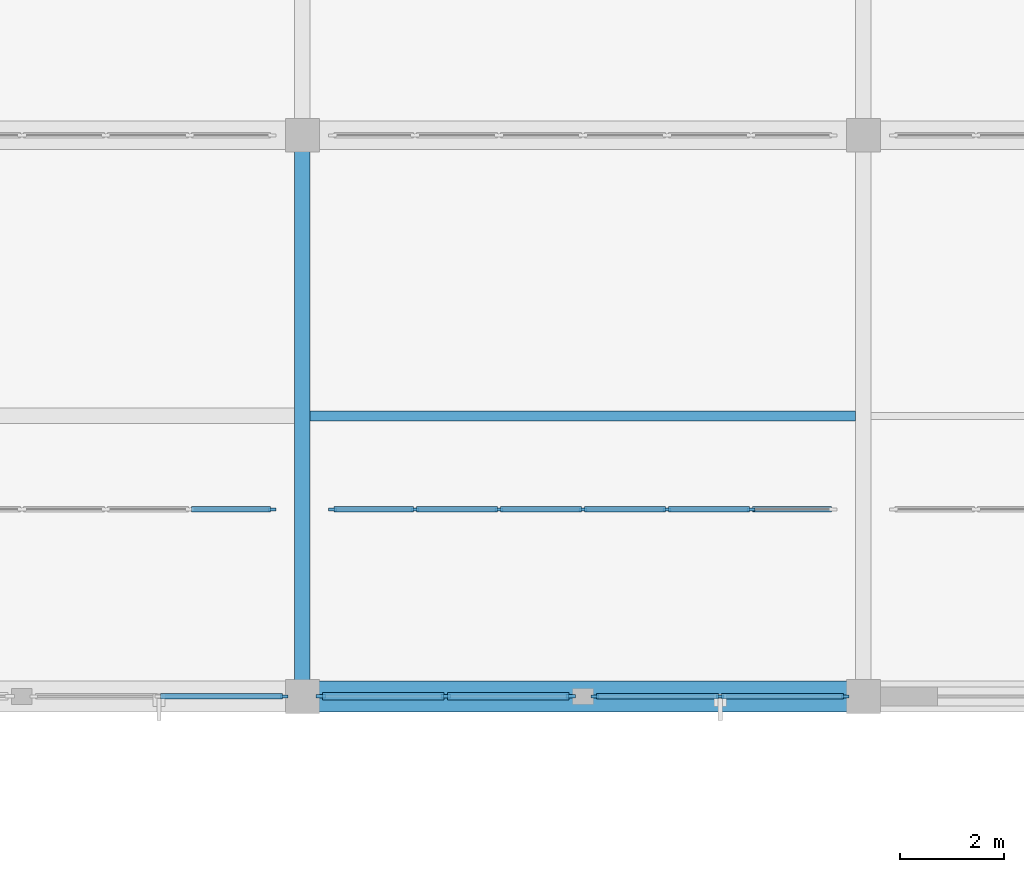
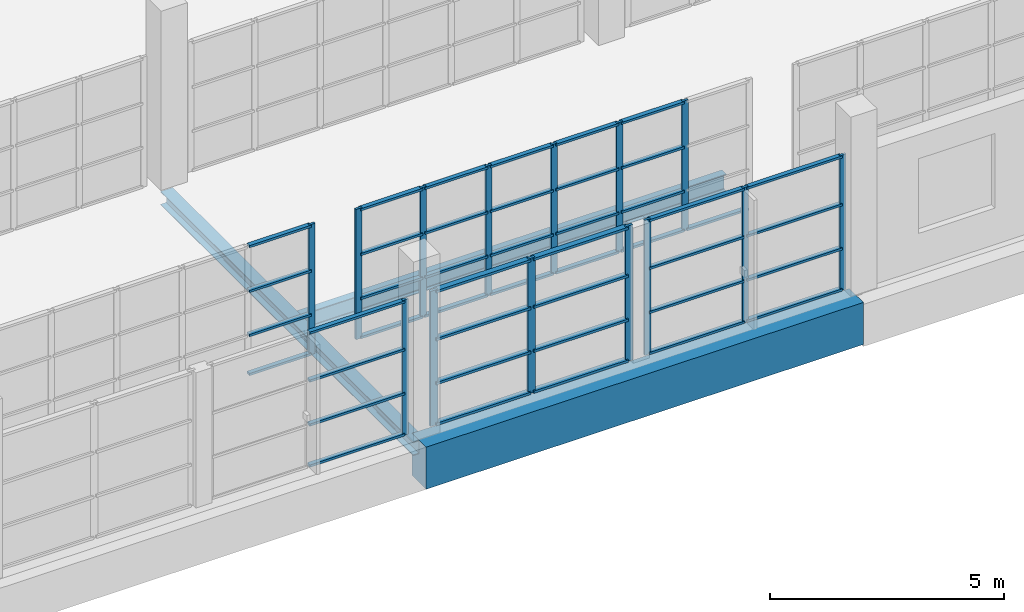
# One storey, part 68 of 142: 59 members, 3 beams, 5 elements without a shape of their own.
"""IFC4 building model written with IfcOpenShell, lengths in metres."""

import ifcopenshell
import ifcopenshell.guid

model = None  # the IFC model being written
_history = None  # IfcOwnerHistory: only IFC2X3 demands one
_inside = {}  # id of a spatial element -> (the spatial element, [elements in it])
_under = {}  # id of a project, library or spatial element -> (it, [spatial elements below it])
_declared = {}  # id of a project -> (the project, [libraries it declares])
_typed = {}  # id of a type object -> (the type object, [elements of that type])
_made_of = {}  # id of a material, layer set ... -> (it, [elements and type objects made of it])


def new_model(schema):
    """Start an empty IFC model of exactly this schema.

    Asked for "IFC4X3", IfcOpenShell would pick the latest addendum, in which some entities
    have other attributes; the version numbers below select the first issue.
    IFC2X3 requires an IfcOwnerHistory on every rooted entity: one is made here for all.
    """
    global model, _history
    if schema == "IFC4X3":
        model = ifcopenshell.file(schema_version=(4, 3, 0, 0))
    else:
        model = ifcopenshell.file(schema=schema)
    _inside.clear()
    _under.clear()
    _declared.clear()
    _typed.clear()
    _made_of.clear()
    _history = None
    if model.schema == "IFC2X3":
        org = make("IfcOrganization", Name="unknown")
        user = make(
            "IfcPersonAndOrganization",
            ThePerson=make("IfcPerson", FamilyName="unknown"),
            TheOrganization=org,
        )
        app = make(
            "IfcApplication",
            ApplicationDeveloper=org,
            Version="unknown",
            ApplicationFullName="unknown",
            ApplicationIdentifier="unknown",
        )
        _history = make(
            "IfcOwnerHistory",
            OwningUser=user,
            OwningApplication=app,
            ChangeAction="ADDED",
            CreationDate=0,
        )
    return model


def make(cls, **values):
    """One entity of the class cls with the attributes given. An attribute that is None is left unset."""
    return model.create_entity(
        cls, **{name: value for name, value in values.items() if value is not None}
    )


def rooted(cls, **values):
    """An entity with a GlobalId (a new one), such as an element, a storey or a relation."""
    return make(cls, GlobalId=ifcopenshell.guid.new(), OwnerHistory=_history, **values)


def si_unit(unit_type, name, prefix=None):
    """IfcSIUnit, for example si_unit("LENGTHUNIT", "METRE", prefix="MILLI")."""
    return make("IfcSIUnit", UnitType=unit_type, Prefix=prefix, Name=name)


def assignment(units):
    """IfcUnitAssignment: the units of a project."""
    return None if units is None else make("IfcUnitAssignment", Units=units)


def point(xyz):
    """IfcCartesianPoint."""
    return None if xyz is None else make("IfcCartesianPoint", Coordinates=xyz)


def direction(xyz):
    """IfcDirection."""
    return None if xyz is None else make("IfcDirection", DirectionRatios=xyz)


def frame(location, z_axis=None, x_axis=None):
    """IfcAxis2Placement3D, a coordinate frame: its origin and axes. An axis left out is left unset."""
    return make(
        "IfcAxis2Placement3D",
        Location=point(location),
        Axis=direction(z_axis),
        RefDirection=direction(x_axis),
    )


def frame_2d(location, x_axis=None):
    """IfcAxis2Placement2D, a coordinate frame in the plane: its origin and x axis."""
    return make(
        "IfcAxis2Placement2D", Location=point(location), RefDirection=direction(x_axis)
    )


def origin():
    """The frame at (0, 0, 0) with its axes left unset."""
    return frame((0.0, 0.0, 0.0))


def origin_2d():
    """The frame at (0, 0) in the plane with its x axis left unset."""
    return frame_2d((0.0, 0.0))


def place(relative_to, where):
    """IfcLocalPlacement: puts the frame where relative to a parent placement (None: the world)."""
    return make(
        "IfcLocalPlacement", PlacementRelTo=relative_to, RelativePlacement=where
    )


def context(
    kind, dimensions, precision=None, world=None, true_north=None, identifier=None
):
    """IfcGeometricRepresentationContext, for example the 3D "Model" context."""
    return make(
        "IfcGeometricRepresentationContext",
        ContextIdentifier=identifier,
        ContextType=kind,
        CoordinateSpaceDimension=dimensions,
        Precision=precision,
        WorldCoordinateSystem=world,
        TrueNorth=true_north,
    )


def subcontext(parent, identifier, kind, view, scale=None):
    """IfcGeometricRepresentationSubContext, for example "Body" below "Model"."""
    return make(
        "IfcGeometricRepresentationSubContext",
        ContextIdentifier=identifier,
        ContextType=kind,
        ParentContext=parent,
        TargetScale=scale,
        TargetView=view,
    )


def project(units=None, contexts=None):
    """IfcProject with its units and contexts."""
    return rooted(
        "IfcProject",
        Name="project",
        RepresentationContexts=contexts,
        UnitsInContext=assignment(units),
    )


def spatial(cls, under=None, at=None, **own):
    """A site, building, storey or space (cls), placed at a placement, below another one or the project."""
    s = rooted(cls, ObjectPlacement=at, **own)
    if under is not None:
        _under.setdefault(under.id(), (under, []))[1].append(s)
    return s


def profile(cls, at=None, kind="AREA", **sizes):
    """A parametric profile (cls). Its sizes go by their IFC names, for example OverallWidth=200.0."""
    return make(cls, ProfileType=kind, Position=at, **sizes)


def rectangle(**sizes):
    """IfcRectangleProfileDef."""
    return profile("IfcRectangleProfileDef", **sizes)


def i_section(**sizes):
    """IfcIShapeProfileDef."""
    return profile("IfcIShapeProfileDef", **sizes)


def extrude(swept, where, along, depth):
    """IfcExtrudedAreaSolid: the profile swept, set in the frame where, extruded along a direction by depth."""
    return make(
        "IfcExtrudedAreaSolid",
        SweptArea=swept,
        Position=where,
        ExtrudedDirection=direction(along),
        Depth=depth,
    )


def shape(context_of_items, identifier, shape_type, items):
    """IfcShapeRepresentation: the items that make up one representation, for example the "Body"."""
    return make(
        "IfcShapeRepresentation",
        ContextOfItems=context_of_items,
        RepresentationIdentifier=identifier,
        RepresentationType=shape_type,
        Items=items,
    )


def material(Name=None, Category=None):
    """IfcMaterial."""
    return make("IfcMaterial", Name=Name, Category=Category)


def material_profile(
    of_material, cross_section, Name=None, Category=None, Priority=None
):
    """IfcMaterialProfile: a cross section and its material."""
    return make(
        "IfcMaterialProfile",
        Name=Name,
        Material=of_material,
        Profile=cross_section,
        Priority=Priority,
        Category=Category,
    )


def profile_set(profiles, Name=None, composite=None):
    """IfcMaterialProfileSet."""
    return make(
        "IfcMaterialProfileSet",
        Name=Name,
        MaterialProfiles=profiles,
        CompositeProfile=composite,
    )


def made_of(thing, what):
    """Note that an element or type object is made of a material, layer set ...; save() writes the relation."""
    if what is not None:
        _made_of.setdefault(what.id(), (what, []))[1].append(thing)
    return thing


def type_object(cls, material=None, **own):
    """A type object (cls), such as IfcWallType, which elements share."""
    return made_of(rooted(cls, **own), material)


def element(
    cls,
    number,
    at=None,
    inside=None,
    cuts=None,
    type_object=None,
    material=None,
    context=None,
    identifier="Body",
    shape_type=None,
    held_by="IfcProductDefinitionShape",
    body=None,
    shapes=None,
    **own,
):
    """One element of the class cls, such as IfcWall. Its Tag is "e" and its number.

    at: its placement. inside: the storey or other place that contains it. cuts: it is an
    opening in that element (IfcRelVoidsElement). A single representation is given by context,
    identifier, shape_type and body (its items); several are given by shapes. held_by: the class
    of the entity that holds the representations. save() writes the other relations.
    """
    e = rooted(cls, Tag="e%d" % number, ObjectPlacement=at, **own)
    if body is not None:
        shapes = [shape(context, identifier, shape_type, body)]
    if shapes is not None:
        e.Representation = make(held_by, Representations=shapes)
    if inside is not None:
        _inside.setdefault(inside.id(), (inside, []))[1].append(e)
    if cuts is not None:
        rooted(
            "IfcRelVoidsElement", RelatingBuildingElement=cuts, RelatedOpeningElement=e
        )
    if type_object is not None:
        _typed.setdefault(type_object.id(), (type_object, []))[1].append(e)
    return made_of(e, material)


def aggregate(whole, parts):
    """IfcRelAggregates: a whole, such as a stair, and the parts it consists of."""
    return rooted("IfcRelAggregates", RelatingObject=whole, RelatedObjects=parts)


def save(model, path):
    """Write the relations noted so far, then the file.

    IfcRelAggregates (storeys below a building ...), IfcRelContainedInSpatialStructure (elements
    in a storey), IfcRelDefinesByType, IfcRelAssociatesMaterial and IfcRelDeclares: one each for
    every whole, place, type object, material and project.
    """
    for whole, parts in _under.values():
        aggregate(whole, parts)
    for where, things in _inside.values():
        rooted(
            "IfcRelContainedInSpatialStructure",
            RelatedElements=things,
            RelatingStructure=where,
        )
    for kind, things in _typed.values():
        rooted("IfcRelDefinesByType", RelatedObjects=things, RelatingType=kind)
    for what, things in _made_of.values():
        rooted("IfcRelAssociatesMaterial", RelatedObjects=things, RelatingMaterial=what)
    for by, libraries in _declared.values():
        rooted("IfcRelDeclares", RelatingContext=by, RelatedDefinitions=libraries)
    model.write(path)


model = new_model("IFC4")

# Units and contexts
model_context = context("Model", 3, precision=1e-05, world=origin(), true_north=direction((0.0, 1.0)))
body_context = subcontext(model_context, "Body", "Model", "MODEL_VIEW")
ifc_project = project(units=[si_unit("LENGTHUNIT", "METRE"), si_unit("AREAUNIT", "SQUARE_METRE"), si_unit("VOLUMEUNIT", "CUBIC_METRE"), si_unit("PLANEANGLEUNIT", "RADIAN"), si_unit("MASSUNIT", "GRAM", prefix="KILO")], contexts=[model_context])

# Site, building, storey
site_placement = place(None, origin())
site = spatial("IfcSite", under=ifc_project, at=site_placement, CompositionType="ELEMENT")
building_placement = place(site_placement, origin())
building = spatial("IfcBuilding", under=site, at=building_placement, Name="Zwinboog Wholesale Market", CompositionType="ELEMENT")
storey_placement = place(building_placement, frame((0.0, 0.0, 5.39990234375)))
storey = spatial("IfcBuildingStorey", under=building, at=storey_placement, Name="L01", CompositionType="ELEMENT", Elevation=5.39990234375)

# Beams
ifc_material_1 = material(Name="Precast concrete C45/55", Category="concrete")
ifc_material_profile_1 = material_profile(ifc_material_1, rectangle(XDim=0.60009765625, YDim=1.10009765625, at=origin_2d()), Name="PC 600x1100")
ifc_profile_set_1 = profile_set([ifc_material_profile_1], Name="Precast concrete C45/55")
beam_type_1 = type_object("IfcBeamType", Name="BT-01", PredefinedType="BEAM", material=ifc_profile_set_1)
beam_1_placement = place(storey_placement, frame((129.60009765625, 86.39990234375, -0.829833984375), z_axis=(1.0, 0.0, 0.0), x_axis=(0.0, 1.0, 0.0)))
element("IfcBeam", 1, at=beam_1_placement, inside=storey, type_object=beam_type_1, Name="BG-01 (BMG-L01-1296-0864-0521)", PredefinedType="BEAM", context=body_context, shape_type="SweptSolid", body=[
    extrude(rectangle(XDim=0.60009765625, YDim=1.10009765625, at=origin_2d()), origin(), (0.0, 0.0, 1.0), 10.7998046875),
])
ifc_material_2 = material(Name="Steel S355", Category="steel")
ifc_material_profile_2 = material_profile(ifc_material_2, i_section(OverallWidth=0.300048828125, OverallDepth=0.35009765625, WebThickness=0.010009765625, FlangeThickness=0.017578125, FilletRadius=0.027099609375, at=origin_2d()), Name="HEA 360")
ifc_profile_set_2 = profile_set([ifc_material_profile_2], Name="Steel S355")
beam_type_2 = type_object("IfcBeamType", Name="BT-17", PredefinedType="BEAM", material=ifc_profile_set_2)
beam_2_placement = place(storey_placement, frame((129.60009765625, 86.39990234375, -0.454833984375), z_axis=(0.0, 1.0, 0.0), x_axis=(-1.0, 0.0, 0.0)))
element("IfcBeam", 2, at=beam_2_placement, inside=storey, type_object=beam_type_2, Name="SB-04 (BMG-L01-1296-0864-0708)", PredefinedType="BEAM", context=body_context, shape_type="SweptSolid", body=[
    extrude(i_section(OverallWidth=0.300048828125, OverallDepth=0.35009765625, WebThickness=0.010009765625, FlangeThickness=0.017578125, FilletRadius=0.027099609375, at=origin_2d()), origin(), (0.0, 0.0, 1.0), 10.800048828125),
])
ifc_material_profile_3 = material_profile(ifc_material_2, i_section(OverallWidth=0.18994140625, OverallDepth=0.449951171875, WebThickness=0.009521484375, FlangeThickness=0.0146484375, FilletRadius=0.02099609375, at=origin_2d()), Name="IPE 450")
ifc_profile_set_3 = profile_set([ifc_material_profile_3], Name="Steel S355")
beam_type_3 = type_object("IfcBeamType", Name="BT-19", PredefinedType="JOIST", material=ifc_profile_set_3)
beam_3_placement = place(storey_placement, frame((129.75, 91.800048828125, -0.5048828125), z_axis=(1.0, 0.0, 0.0), x_axis=(0.0, 1.0, 0.0)))
element("IfcBeam", 3, at=beam_3_placement, inside=storey, type_object=beam_type_3, Name="SJ-02 (BMG-L01-1298-0918-0842)", PredefinedType="JOIST", context=body_context, shape_type="SweptSolid", body=[
    extrude(i_section(OverallWidth=0.18994140625, OverallDepth=0.449951171875, WebThickness=0.009521484375, FlangeThickness=0.0146484375, FilletRadius=0.02099609375, at=origin_2d()), origin(), (0.0, 0.0, 1.0), 10.5),
])

# Curtain wall, members
ifc_material_3 = material(Name="Aluminium thermally broken curtain wall", Category="aluminium")
curtain_wall_type_1 = type_object("IfcCurtainWallType", Name="CWT-CAFE-22", PredefinedType="USERDEFINED", material=ifc_material_3)
curtain_wall_1_placement = place(storey_placement, origin())
curtain_wall_1 = element("IfcCurtainWall", 4, at=curtain_wall_1_placement, inside=storey, type_object=curtain_wall_type_1, Name="CW-05 (CW-L01-119)", ObjectType="STOREFRONT_GLAZING", PredefinedType="USERDEFINED")
ifc_material_4 = material(Name="Aluminium EN AW-6060", Category="aluminium")
ifc_material_profile_4 = material_profile(ifc_material_4, rectangle(XDim=0.06494140625, YDim=0.179931640625, at=origin_2d()), Name="AL 65x180")
ifc_profile_set_4 = profile_set([ifc_material_profile_4], Name="Aluminium EN AW-6060")
member_type_1 = type_object("IfcMemberType", Name="CWM-65x180", PredefinedType="MULLION", material=ifc_profile_set_4)
member_1_placement = place(storey_placement, frame((129.952392578125, 86.39990234375, 0.0), z_axis=(0.0, 0.0, 1.0), x_axis=(0.0, 1.0, 0.0)))
member_1 = element("IfcMember", 5, at=member_1_placement, type_object=member_type_1, Name="CW-05 mullion 1", PredefinedType="MULLION", context=body_context, shape_type="SweptSolid", body=[
    extrude(rectangle(XDim=0.06494140625, YDim=0.179931640625, at=origin_2d()), origin(), (0.0, 0.0, 1.0), 3.530029296875),
])
member_2_placement = place(storey_placement, frame((132.360107421875, 86.39990234375, 0.0), z_axis=(0.0, 0.0, 1.0), x_axis=(0.0, 1.0, 0.0)))
member_2 = element("IfcMember", 6, at=member_2_placement, type_object=member_type_1, Name="CW-05 mullion 2", PredefinedType="MULLION", context=body_context, shape_type="SweptSolid", body=[
    extrude(rectangle(XDim=0.06494140625, YDim=0.179931640625, at=origin_2d()), origin(), (0.0, 0.0, 1.0), 3.530029296875),
])
member_3_placement = place(storey_placement, frame((134.767578125, 86.39990234375, 0.0), z_axis=(0.0, 0.0, 1.0), x_axis=(0.0, 1.0, 0.0)))
member_3 = element("IfcMember", 7, at=member_3_placement, type_object=member_type_1, Name="CW-05 mullion 3", PredefinedType="MULLION", context=body_context, shape_type="SweptSolid", body=[
    extrude(rectangle(XDim=0.06494140625, YDim=0.179931640625, at=origin_2d()), origin(), (0.0, 0.0, 1.0), 3.530029296875),
])

# Curtain wall, member
curtain_wall_type_2 = type_object("IfcCurtainWallType", Name="CWT-OFF-15", PredefinedType="USERDEFINED", material=ifc_material_3)
curtain_wall_2_placement = place(storey_placement, origin())
curtain_wall_2 = element("IfcCurtainWall", 8, at=curtain_wall_2_placement, inside=storey, type_object=curtain_wall_type_2, Name="CW-06 (CW-L01-114)", ObjectType="UNITIZED_CURTAIN_WALL", PredefinedType="USERDEFINED")
ifc_material_profile_5 = material_profile(ifc_material_4, rectangle(XDim=0.06005859375, YDim=0.14990234375, at=origin_2d()), Name="AL 60x150")
ifc_profile_set_5 = profile_set([ifc_material_profile_5], Name="Aluminium EN AW-6060")
member_type_2 = type_object("IfcMemberType", Name="CWM-60x150", PredefinedType="MULLION", material=ifc_profile_set_5)
member_4_placement = place(storey_placement, frame((129.25, 86.39990234375, 0.0), z_axis=(0.0, 0.0, 1.0), x_axis=(0.0, 1.0, 0.0)))
member_4 = element("IfcMember", 9, at=member_4_placement, type_object=member_type_2, Name="CW-06 mullion 3", PredefinedType="MULLION", context=body_context, shape_type="SweptSolid", body=[
    extrude(rectangle(XDim=0.06005859375, YDim=0.14990234375, at=origin_2d()), origin(), (0.0, 0.0, 1.0), 3.530029296875),
])

# Curtain wall, members
curtain_wall_3_placement = place(storey_placement, origin())
curtain_wall_3 = element("IfcCurtainWall", 10, at=curtain_wall_3_placement, inside=storey, type_object=curtain_wall_type_2, Name="CW-06 (CW-L01-120)", ObjectType="UNITIZED_CURTAIN_WALL", PredefinedType="USERDEFINED")
member_5_placement = place(storey_placement, frame((135.22998046875, 86.39990234375, 0.0), z_axis=(0.0, 0.0, 1.0), x_axis=(0.0, 1.0, 0.0)))
member_5 = element("IfcMember", 11, at=member_5_placement, type_object=member_type_2, Name="CW-06 mullion 1", PredefinedType="MULLION", context=body_context, shape_type="SweptSolid", body=[
    extrude(rectangle(XDim=0.06005859375, YDim=0.14990234375, at=origin_2d()), origin(), (0.0, 0.0, 1.0), 3.530029296875),
])
member_6_placement = place(storey_placement, frame((137.639892578125, 86.39990234375, 0.0), z_axis=(0.0, 0.0, 1.0), x_axis=(0.0, 1.0, 0.0)))
member_6 = element("IfcMember", 12, at=member_6_placement, type_object=member_type_2, Name="CW-06 mullion 2", PredefinedType="MULLION", context=body_context, shape_type="SweptSolid", body=[
    extrude(rectangle(XDim=0.06005859375, YDim=0.14990234375, at=origin_2d()), origin(), (0.0, 0.0, 1.0), 3.530029296875),
])
member_7_placement = place(storey_placement, frame((140.050048828125, 86.39990234375, 0.0), z_axis=(0.0, 0.0, 1.0), x_axis=(0.0, 1.0, 0.0)))
member_7 = element("IfcMember", 13, at=member_7_placement, type_object=member_type_2, Name="CW-06 mullion 3", PredefinedType="MULLION", context=body_context, shape_type="SweptSolid", body=[
    extrude(rectangle(XDim=0.06005859375, YDim=0.14990234375, at=origin_2d()), origin(), (0.0, 0.0, 1.0), 3.530029296875),
])

# Member
ifc_material_profile_6 = material_profile(ifc_material_4, rectangle(XDim=0.139892578125, YDim=0.06494140625, at=origin_2d()), Name="AL 65x140")
ifc_profile_set_6 = profile_set([ifc_material_profile_6], Name="Aluminium EN AW-6060")
member_type_3 = type_object("IfcMemberType", Name="CWT-65x140", PredefinedType="USERDEFINED", material=ifc_profile_set_6)
member_8_placement = place(storey_placement, frame((129.985107421875, 86.39990234375, 0.03271484375), z_axis=(1.0, 0.0, 0.0), x_axis=(0.0, 1.0, 0.0)))
member_8 = element("IfcMember", 14, at=member_8_placement, type_object=member_type_3, Name="CW-05 transom 1.1", ObjectType="TRANSOM", PredefinedType="USERDEFINED", context=body_context, shape_type="SweptSolid", body=[
    extrude(rectangle(XDim=0.139892578125, YDim=0.06494140625, at=origin_2d()), origin(), (0.0, 0.0, 1.0), 2.34228515625),
])

member_9_placement = place(storey_placement, frame((129.985107421875, 86.39990234375, 1.10009765625), z_axis=(1.0, 0.0, 0.0), x_axis=(0.0, 1.0, 0.0)))
member_9 = element("IfcMember", 15, at=member_9_placement, type_object=member_type_3, Name="CW-05 transom 1.2", ObjectType="TRANSOM", PredefinedType="USERDEFINED", context=body_context, shape_type="SweptSolid", body=[
    extrude(rectangle(XDim=0.139892578125, YDim=0.06494140625, at=origin_2d()), origin(), (0.0, 0.0, 1.0), 2.34228515625),
])

member_10_placement = place(storey_placement, frame((129.985107421875, 86.39990234375, 2.25), z_axis=(1.0, 0.0, 0.0), x_axis=(0.0, 1.0, 0.0)))
member_10 = element("IfcMember", 16, at=member_10_placement, type_object=member_type_3, Name="CW-05 transom 1.3", ObjectType="TRANSOM", PredefinedType="USERDEFINED", context=body_context, shape_type="SweptSolid", body=[
    extrude(rectangle(XDim=0.139892578125, YDim=0.06494140625, at=origin_2d()), origin(), (0.0, 0.0, 1.0), 2.34228515625),
])

member_11_placement = place(storey_placement, frame((129.985107421875, 86.39990234375, 3.49755859375), z_axis=(1.0, 0.0, 0.0), x_axis=(0.0, 1.0, 0.0)))
member_11 = element("IfcMember", 17, at=member_11_placement, type_object=member_type_3, Name="CW-05 transom 1.4", ObjectType="TRANSOM", PredefinedType="USERDEFINED", context=body_context, shape_type="SweptSolid", body=[
    extrude(rectangle(XDim=0.139892578125, YDim=0.06494140625, at=origin_2d()), origin(), (0.0, 0.0, 1.0), 2.34228515625),
])

member_12_placement = place(storey_placement, frame((132.392578125, 86.39990234375, 0.03271484375), z_axis=(1.0, 0.0, 0.0), x_axis=(0.0, 1.0, 0.0)))
member_12 = element("IfcMember", 18, at=member_12_placement, type_object=member_type_3, Name="CW-05 transom 2.1", ObjectType="TRANSOM", PredefinedType="USERDEFINED", context=body_context, shape_type="SweptSolid", body=[
    extrude(rectangle(XDim=0.139892578125, YDim=0.06494140625, at=origin_2d()), origin(), (0.0, 0.0, 1.0), 2.342529296875),
])

member_13_placement = place(storey_placement, frame((132.392578125, 86.39990234375, 1.10009765625), z_axis=(1.0, 0.0, 0.0), x_axis=(0.0, 1.0, 0.0)))
member_13 = element("IfcMember", 19, at=member_13_placement, type_object=member_type_3, Name="CW-05 transom 2.2", ObjectType="TRANSOM", PredefinedType="USERDEFINED", context=body_context, shape_type="SweptSolid", body=[
    extrude(rectangle(XDim=0.139892578125, YDim=0.06494140625, at=origin_2d()), origin(), (0.0, 0.0, 1.0), 2.342529296875),
])

member_14_placement = place(storey_placement, frame((132.392578125, 86.39990234375, 2.25), z_axis=(1.0, 0.0, 0.0), x_axis=(0.0, 1.0, 0.0)))
member_14 = element("IfcMember", 20, at=member_14_placement, type_object=member_type_3, Name="CW-05 transom 2.3", ObjectType="TRANSOM", PredefinedType="USERDEFINED", context=body_context, shape_type="SweptSolid", body=[
    extrude(rectangle(XDim=0.139892578125, YDim=0.06494140625, at=origin_2d()), origin(), (0.0, 0.0, 1.0), 2.342529296875),
])

member_15_placement = place(storey_placement, frame((132.392578125, 86.39990234375, 3.49755859375), z_axis=(1.0, 0.0, 0.0), x_axis=(0.0, 1.0, 0.0)))
member_15 = element("IfcMember", 21, at=member_15_placement, type_object=member_type_3, Name="CW-05 transom 2.4", ObjectType="TRANSOM", PredefinedType="USERDEFINED", context=body_context, shape_type="SweptSolid", body=[
    extrude(rectangle(XDim=0.139892578125, YDim=0.06494140625, at=origin_2d()), origin(), (0.0, 0.0, 1.0), 2.342529296875),
])

aggregate(curtain_wall_1, [member_1, member_2, member_3, member_8, member_9, member_10, member_11, member_12, member_13, member_14, member_15])

ifc_material_profile_7 = material_profile(ifc_material_4, rectangle(XDim=0.110107421875, YDim=0.06005859375, at=origin_2d()), Name="AL 60x110")
ifc_profile_set_7 = profile_set([ifc_material_profile_7], Name="Aluminium EN AW-6060")
member_type_4 = type_object("IfcMemberType", Name="CWT-60x110", PredefinedType="USERDEFINED", material=ifc_profile_set_7)
member_16_placement = place(storey_placement, frame((126.8701171875, 86.39990234375, 0.030029296875), z_axis=(1.0, 0.0, 0.0), x_axis=(0.0, 1.0, 0.0)))
member_16 = element("IfcMember", 22, at=member_16_placement, type_object=member_type_4, Name="CW-06 transom 2.1", ObjectType="TRANSOM", PredefinedType="USERDEFINED", context=body_context, shape_type="SweptSolid", body=[
    extrude(rectangle(XDim=0.110107421875, YDim=0.06005859375, at=origin_2d()), origin(), (0.0, 0.0, 1.0), 2.349853515625),
])

member_17_placement = place(storey_placement, frame((126.8701171875, 86.39990234375, 1.10009765625), z_axis=(1.0, 0.0, 0.0), x_axis=(0.0, 1.0, 0.0)))
member_17 = element("IfcMember", 23, at=member_17_placement, type_object=member_type_4, Name="CW-06 transom 2.2", ObjectType="TRANSOM", PredefinedType="USERDEFINED", context=body_context, shape_type="SweptSolid", body=[
    extrude(rectangle(XDim=0.110107421875, YDim=0.06005859375, at=origin_2d()), origin(), (0.0, 0.0, 1.0), 2.349853515625),
])

member_18_placement = place(storey_placement, frame((126.8701171875, 86.39990234375, 2.25), z_axis=(1.0, 0.0, 0.0), x_axis=(0.0, 1.0, 0.0)))
member_18 = element("IfcMember", 24, at=member_18_placement, type_object=member_type_4, Name="CW-06 transom 2.3", ObjectType="TRANSOM", PredefinedType="USERDEFINED", context=body_context, shape_type="SweptSolid", body=[
    extrude(rectangle(XDim=0.110107421875, YDim=0.06005859375, at=origin_2d()), origin(), (0.0, 0.0, 1.0), 2.349853515625),
])

member_19_placement = place(storey_placement, frame((126.8701171875, 86.39990234375, 3.5), z_axis=(1.0, 0.0, 0.0), x_axis=(0.0, 1.0, 0.0)))
member_19 = element("IfcMember", 25, at=member_19_placement, type_object=member_type_4, Name="CW-06 transom 2.4", ObjectType="TRANSOM", PredefinedType="USERDEFINED", context=body_context, shape_type="SweptSolid", body=[
    extrude(rectangle(XDim=0.110107421875, YDim=0.06005859375, at=origin_2d()), origin(), (0.0, 0.0, 1.0), 2.349853515625),
])

aggregate(curtain_wall_2, [member_4, member_16, member_17, member_18, member_19])

member_20_placement = place(storey_placement, frame((135.260009765625, 86.39990234375, 0.030029296875), z_axis=(1.0, 0.0, 0.0), x_axis=(0.0, 1.0, 0.0)))
member_20 = element("IfcMember", 26, at=member_20_placement, type_object=member_type_4, Name="CW-06 transom 1.1", ObjectType="TRANSOM", PredefinedType="USERDEFINED", context=body_context, shape_type="SweptSolid", body=[
    extrude(rectangle(XDim=0.110107421875, YDim=0.06005859375, at=origin_2d()), origin(), (0.0, 0.0, 1.0), 2.35009765625),
])

member_21_placement = place(storey_placement, frame((135.260009765625, 86.39990234375, 1.10009765625), z_axis=(1.0, 0.0, 0.0), x_axis=(0.0, 1.0, 0.0)))
member_21 = element("IfcMember", 27, at=member_21_placement, type_object=member_type_4, Name="CW-06 transom 1.2", ObjectType="TRANSOM", PredefinedType="USERDEFINED", context=body_context, shape_type="SweptSolid", body=[
    extrude(rectangle(XDim=0.110107421875, YDim=0.06005859375, at=origin_2d()), origin(), (0.0, 0.0, 1.0), 2.35009765625),
])

member_22_placement = place(storey_placement, frame((135.260009765625, 86.39990234375, 2.25), z_axis=(1.0, 0.0, 0.0), x_axis=(0.0, 1.0, 0.0)))
member_22 = element("IfcMember", 28, at=member_22_placement, type_object=member_type_4, Name="CW-06 transom 1.3", ObjectType="TRANSOM", PredefinedType="USERDEFINED", context=body_context, shape_type="SweptSolid", body=[
    extrude(rectangle(XDim=0.110107421875, YDim=0.06005859375, at=origin_2d()), origin(), (0.0, 0.0, 1.0), 2.35009765625),
])

member_23_placement = place(storey_placement, frame((135.260009765625, 86.39990234375, 3.5), z_axis=(1.0, 0.0, 0.0), x_axis=(0.0, 1.0, 0.0)))
member_23 = element("IfcMember", 29, at=member_23_placement, type_object=member_type_4, Name="CW-06 transom 1.4", ObjectType="TRANSOM", PredefinedType="USERDEFINED", context=body_context, shape_type="SweptSolid", body=[
    extrude(rectangle(XDim=0.110107421875, YDim=0.06005859375, at=origin_2d()), origin(), (0.0, 0.0, 1.0), 2.35009765625),
])

member_24_placement = place(storey_placement, frame((137.669921875, 86.39990234375, 0.030029296875), z_axis=(1.0, 0.0, 0.0), x_axis=(0.0, 1.0, 0.0)))
member_24 = element("IfcMember", 30, at=member_24_placement, type_object=member_type_4, Name="CW-06 transom 2.1", ObjectType="TRANSOM", PredefinedType="USERDEFINED", context=body_context, shape_type="SweptSolid", body=[
    extrude(rectangle(XDim=0.110107421875, YDim=0.06005859375, at=origin_2d()), origin(), (0.0, 0.0, 1.0), 2.35009765625),
])

member_25_placement = place(storey_placement, frame((137.669921875, 86.39990234375, 1.10009765625), z_axis=(1.0, 0.0, 0.0), x_axis=(0.0, 1.0, 0.0)))
member_25 = element("IfcMember", 31, at=member_25_placement, type_object=member_type_4, Name="CW-06 transom 2.2", ObjectType="TRANSOM", PredefinedType="USERDEFINED", context=body_context, shape_type="SweptSolid", body=[
    extrude(rectangle(XDim=0.110107421875, YDim=0.06005859375, at=origin_2d()), origin(), (0.0, 0.0, 1.0), 2.35009765625),
])

member_26_placement = place(storey_placement, frame((137.669921875, 86.39990234375, 2.25), z_axis=(1.0, 0.0, 0.0), x_axis=(0.0, 1.0, 0.0)))
member_26 = element("IfcMember", 32, at=member_26_placement, type_object=member_type_4, Name="CW-06 transom 2.3", ObjectType="TRANSOM", PredefinedType="USERDEFINED", context=body_context, shape_type="SweptSolid", body=[
    extrude(rectangle(XDim=0.110107421875, YDim=0.06005859375, at=origin_2d()), origin(), (0.0, 0.0, 1.0), 2.35009765625),
])

member_27_placement = place(storey_placement, frame((137.669921875, 86.39990234375, 3.5), z_axis=(1.0, 0.0, 0.0), x_axis=(0.0, 1.0, 0.0)))
member_27 = element("IfcMember", 33, at=member_27_placement, type_object=member_type_4, Name="CW-06 transom 2.4", ObjectType="TRANSOM", PredefinedType="USERDEFINED", context=body_context, shape_type="SweptSolid", body=[
    extrude(rectangle(XDim=0.110107421875, YDim=0.06005859375, at=origin_2d()), origin(), (0.0, 0.0, 1.0), 2.35009765625),
])

aggregate(curtain_wall_3, [member_5, member_6, member_7, member_20, member_21, member_22, member_23, member_24, member_25, member_26, member_27])

# Curtain wall, member
curtain_wall_type_3 = type_object("IfcCurtainWallType", Name="CWT-INT-STALL", PredefinedType="USERDEFINED", material=ifc_material_3)
curtain_wall_4_placement = place(storey_placement, origin())
curtain_wall_4 = element("IfcCurtainWall", 34, at=curtain_wall_4_placement, inside=storey, type_object=curtain_wall_type_3, Name="CW-07 (CW-STL-240)", ObjectType="STOREFRONT_GLAZING", PredefinedType="USERDEFINED")
ifc_material_profile_8 = material_profile(ifc_material_4, rectangle(XDim=0.06005859375, YDim=0.14990234375, at=origin_2d()), Name="AL 60x150")
ifc_profile_set_8 = profile_set([ifc_material_profile_8], Name="Aluminium EN AW-6060")
member_type_5 = type_object("IfcMemberType", Name="CWM-INT-60x120", PredefinedType="MULLION", material=ifc_profile_set_8)
member_28_placement = place(storey_placement, frame((129.02001953125, 90.0, 0.0), z_axis=(0.0, 0.0, 1.0), x_axis=(0.0, 1.0, 0.0)))
member_28 = element("IfcMember", 35, at=member_28_placement, type_object=member_type_5, Name="CW-07 mullion 7", PredefinedType="MULLION", context=body_context, shape_type="SweptSolid", body=[
    extrude(rectangle(XDim=0.06005859375, YDim=0.14990234375, at=origin_2d()), origin(), (0.0, 0.0, 1.0), 3.400146484375),
])

# Curtain wall, members
curtain_wall_5_placement = place(storey_placement, origin())
curtain_wall_5 = element("IfcCurtainWall", 36, at=curtain_wall_5_placement, inside=storey, type_object=curtain_wall_type_3, Name="CW-07 (CW-STL-241)", ObjectType="STOREFRONT_GLAZING", PredefinedType="USERDEFINED")
member_29_placement = place(storey_placement, frame((130.179931640625, 90.0, 0.0), z_axis=(0.0, 0.0, 1.0), x_axis=(0.0, 1.0, 0.0)))
member_29 = element("IfcMember", 37, at=member_29_placement, type_object=member_type_5, Name="CW-07 mullion 1", PredefinedType="MULLION", context=body_context, shape_type="SweptSolid", body=[
    extrude(rectangle(XDim=0.06005859375, YDim=0.14990234375, at=origin_2d()), origin(), (0.0, 0.0, 1.0), 3.400146484375),
])
member_30_placement = place(storey_placement, frame((131.7666015625, 90.0, 0.0), z_axis=(0.0, 0.0, 1.0), x_axis=(0.0, 1.0, 0.0)))
member_30 = element("IfcMember", 38, at=member_30_placement, type_object=member_type_5, Name="CW-07 mullion 2", PredefinedType="MULLION", context=body_context, shape_type="SweptSolid", body=[
    extrude(rectangle(XDim=0.06005859375, YDim=0.14990234375, at=origin_2d()), origin(), (0.0, 0.0, 1.0), 3.400146484375),
])
member_31_placement = place(storey_placement, frame((133.38330078125, 90.0, 0.0), z_axis=(0.0, 0.0, 1.0), x_axis=(0.0, 1.0, 0.0)))
member_31 = element("IfcMember", 39, at=member_31_placement, type_object=member_type_5, Name="CW-07 mullion 3", PredefinedType="MULLION", context=body_context, shape_type="SweptSolid", body=[
    extrude(rectangle(XDim=0.06005859375, YDim=0.14990234375, at=origin_2d()), origin(), (0.0, 0.0, 1.0), 3.400146484375),
])
member_32_placement = place(storey_placement, frame((135.0, 90.0, 0.0), z_axis=(0.0, 0.0, 1.0), x_axis=(0.0, 1.0, 0.0)))
member_32 = element("IfcMember", 40, at=member_32_placement, type_object=member_type_5, Name="CW-07 mullion 4", PredefinedType="MULLION", context=body_context, shape_type="SweptSolid", body=[
    extrude(rectangle(XDim=0.06005859375, YDim=0.14990234375, at=origin_2d()), origin(), (0.0, 0.0, 1.0), 3.400146484375),
])
member_33_placement = place(storey_placement, frame((136.61669921875, 90.0, 0.0), z_axis=(0.0, 0.0, 1.0), x_axis=(0.0, 1.0, 0.0)))
member_33 = element("IfcMember", 41, at=member_33_placement, type_object=member_type_5, Name="CW-07 mullion 5", PredefinedType="MULLION", context=body_context, shape_type="SweptSolid", body=[
    extrude(rectangle(XDim=0.06005859375, YDim=0.14990234375, at=origin_2d()), origin(), (0.0, 0.0, 1.0), 3.400146484375),
])
member_34_placement = place(storey_placement, frame((138.2333984375, 90.0, 0.0), z_axis=(0.0, 0.0, 1.0), x_axis=(0.0, 1.0, 0.0)))
member_34 = element("IfcMember", 42, at=member_34_placement, type_object=member_type_5, Name="CW-07 mullion 6", PredefinedType="MULLION", context=body_context, shape_type="SweptSolid", body=[
    extrude(rectangle(XDim=0.06005859375, YDim=0.14990234375, at=origin_2d()), origin(), (0.0, 0.0, 1.0), 3.400146484375),
])

# Member
ifc_material_profile_9 = material_profile(ifc_material_4, rectangle(XDim=0.110107421875, YDim=0.06005859375, at=origin_2d()), Name="AL 60x110")
ifc_profile_set_9 = profile_set([ifc_material_profile_9], Name="Aluminium EN AW-6060")
member_type_6 = type_object("IfcMemberType", Name="CWT-INT-60x100", PredefinedType="USERDEFINED", material=ifc_profile_set_9)
member_35_placement = place(storey_placement, frame((127.46337890625, 90.0, 0.030029296875), z_axis=(1.0, 0.0, 0.0), x_axis=(0.0, 1.0, 0.0)))
member_35 = element("IfcMember", 43, at=member_35_placement, type_object=member_type_6, Name="CW-07 transom 6.1", ObjectType="TRANSOM", PredefinedType="USERDEFINED", context=body_context, shape_type="SweptSolid", body=[
    extrude(rectangle(XDim=0.110107421875, YDim=0.06005859375, at=origin_2d()), origin(), (0.0, 0.0, 1.0), 1.526611328125),
])

member_36_placement = place(storey_placement, frame((127.46337890625, 90.0, 1.050048828125), z_axis=(1.0, 0.0, 0.0), x_axis=(0.0, 1.0, 0.0)))
member_36 = element("IfcMember", 44, at=member_36_placement, type_object=member_type_6, Name="CW-07 transom 6.2", ObjectType="TRANSOM", PredefinedType="USERDEFINED", context=body_context, shape_type="SweptSolid", body=[
    extrude(rectangle(XDim=0.110107421875, YDim=0.06005859375, at=origin_2d()), origin(), (0.0, 0.0, 1.0), 1.526611328125),
])

member_37_placement = place(storey_placement, frame((127.46337890625, 90.0, 2.2001953125), z_axis=(1.0, 0.0, 0.0), x_axis=(0.0, 1.0, 0.0)))
member_37 = element("IfcMember", 45, at=member_37_placement, type_object=member_type_6, Name="CW-07 transom 6.3", ObjectType="TRANSOM", PredefinedType="USERDEFINED", context=body_context, shape_type="SweptSolid", body=[
    extrude(rectangle(XDim=0.110107421875, YDim=0.06005859375, at=origin_2d()), origin(), (0.0, 0.0, 1.0), 1.526611328125),
])

member_38_placement = place(storey_placement, frame((127.46337890625, 90.0, 3.3701171875), z_axis=(1.0, 0.0, 0.0), x_axis=(0.0, 1.0, 0.0)))
member_38 = element("IfcMember", 46, at=member_38_placement, type_object=member_type_6, Name="CW-07 transom 6.4", ObjectType="TRANSOM", PredefinedType="USERDEFINED", context=body_context, shape_type="SweptSolid", body=[
    extrude(rectangle(XDim=0.110107421875, YDim=0.06005859375, at=origin_2d()), origin(), (0.0, 0.0, 1.0), 1.526611328125),
])

aggregate(curtain_wall_4, [member_28, member_35, member_36, member_37, member_38])

member_39_placement = place(storey_placement, frame((130.2099609375, 90.0, 0.030029296875), z_axis=(1.0, 0.0, 0.0), x_axis=(0.0, 1.0, 0.0)))
member_39 = element("IfcMember", 47, at=member_39_placement, type_object=member_type_6, Name="CW-07 transom 1.1", ObjectType="TRANSOM", PredefinedType="USERDEFINED", context=body_context, shape_type="SweptSolid", body=[
    extrude(rectangle(XDim=0.110107421875, YDim=0.06005859375, at=origin_2d()), origin(), (0.0, 0.0, 1.0), 1.526611328125),
])

member_40_placement = place(storey_placement, frame((130.2099609375, 90.0, 1.050048828125), z_axis=(1.0, 0.0, 0.0), x_axis=(0.0, 1.0, 0.0)))
member_40 = element("IfcMember", 48, at=member_40_placement, type_object=member_type_6, Name="CW-07 transom 1.2", ObjectType="TRANSOM", PredefinedType="USERDEFINED", context=body_context, shape_type="SweptSolid", body=[
    extrude(rectangle(XDim=0.110107421875, YDim=0.06005859375, at=origin_2d()), origin(), (0.0, 0.0, 1.0), 1.526611328125),
])

member_41_placement = place(storey_placement, frame((130.2099609375, 90.0, 2.2001953125), z_axis=(1.0, 0.0, 0.0), x_axis=(0.0, 1.0, 0.0)))
member_41 = element("IfcMember", 49, at=member_41_placement, type_object=member_type_6, Name="CW-07 transom 1.3", ObjectType="TRANSOM", PredefinedType="USERDEFINED", context=body_context, shape_type="SweptSolid", body=[
    extrude(rectangle(XDim=0.110107421875, YDim=0.06005859375, at=origin_2d()), origin(), (0.0, 0.0, 1.0), 1.526611328125),
])

member_42_placement = place(storey_placement, frame((130.2099609375, 90.0, 3.3701171875), z_axis=(1.0, 0.0, 0.0), x_axis=(0.0, 1.0, 0.0)))
member_42 = element("IfcMember", 50, at=member_42_placement, type_object=member_type_6, Name="CW-07 transom 1.4", ObjectType="TRANSOM", PredefinedType="USERDEFINED", context=body_context, shape_type="SweptSolid", body=[
    extrude(rectangle(XDim=0.110107421875, YDim=0.06005859375, at=origin_2d()), origin(), (0.0, 0.0, 1.0), 1.526611328125),
])

member_43_placement = place(storey_placement, frame((131.796630859375, 90.0, 0.030029296875), z_axis=(1.0, 0.0, 0.0), x_axis=(0.0, 1.0, 0.0)))
member_43 = element("IfcMember", 51, at=member_43_placement, type_object=member_type_6, Name="CW-07 transom 2.1", ObjectType="TRANSOM", PredefinedType="USERDEFINED", context=body_context, shape_type="SweptSolid", body=[
    extrude(rectangle(XDim=0.110107421875, YDim=0.06005859375, at=origin_2d()), origin(), (0.0, 0.0, 1.0), 1.556640625),
])

member_44_placement = place(storey_placement, frame((131.796630859375, 90.0, 1.050048828125), z_axis=(1.0, 0.0, 0.0), x_axis=(0.0, 1.0, 0.0)))
member_44 = element("IfcMember", 52, at=member_44_placement, type_object=member_type_6, Name="CW-07 transom 2.2", ObjectType="TRANSOM", PredefinedType="USERDEFINED", context=body_context, shape_type="SweptSolid", body=[
    extrude(rectangle(XDim=0.110107421875, YDim=0.06005859375, at=origin_2d()), origin(), (0.0, 0.0, 1.0), 1.556640625),
])

member_45_placement = place(storey_placement, frame((131.796630859375, 90.0, 2.2001953125), z_axis=(1.0, 0.0, 0.0), x_axis=(0.0, 1.0, 0.0)))
member_45 = element("IfcMember", 53, at=member_45_placement, type_object=member_type_6, Name="CW-07 transom 2.3", ObjectType="TRANSOM", PredefinedType="USERDEFINED", context=body_context, shape_type="SweptSolid", body=[
    extrude(rectangle(XDim=0.110107421875, YDim=0.06005859375, at=origin_2d()), origin(), (0.0, 0.0, 1.0), 1.556640625),
])

member_46_placement = place(storey_placement, frame((131.796630859375, 90.0, 3.3701171875), z_axis=(1.0, 0.0, 0.0), x_axis=(0.0, 1.0, 0.0)))
member_46 = element("IfcMember", 54, at=member_46_placement, type_object=member_type_6, Name="CW-07 transom 2.4", ObjectType="TRANSOM", PredefinedType="USERDEFINED", context=body_context, shape_type="SweptSolid", body=[
    extrude(rectangle(XDim=0.110107421875, YDim=0.06005859375, at=origin_2d()), origin(), (0.0, 0.0, 1.0), 1.556640625),
])

member_47_placement = place(storey_placement, frame((133.413330078125, 90.0, 0.030029296875), z_axis=(1.0, 0.0, 0.0), x_axis=(0.0, 1.0, 0.0)))
member_47 = element("IfcMember", 55, at=member_47_placement, type_object=member_type_6, Name="CW-07 transom 3.1", ObjectType="TRANSOM", PredefinedType="USERDEFINED", context=body_context, shape_type="SweptSolid", body=[
    extrude(rectangle(XDim=0.110107421875, YDim=0.06005859375, at=origin_2d()), origin(), (0.0, 0.0, 1.0), 1.556640625),
])

member_48_placement = place(storey_placement, frame((133.413330078125, 90.0, 1.050048828125), z_axis=(1.0, 0.0, 0.0), x_axis=(0.0, 1.0, 0.0)))
member_48 = element("IfcMember", 56, at=member_48_placement, type_object=member_type_6, Name="CW-07 transom 3.2", ObjectType="TRANSOM", PredefinedType="USERDEFINED", context=body_context, shape_type="SweptSolid", body=[
    extrude(rectangle(XDim=0.110107421875, YDim=0.06005859375, at=origin_2d()), origin(), (0.0, 0.0, 1.0), 1.556640625),
])

member_49_placement = place(storey_placement, frame((133.413330078125, 90.0, 2.2001953125), z_axis=(1.0, 0.0, 0.0), x_axis=(0.0, 1.0, 0.0)))
member_49 = element("IfcMember", 57, at=member_49_placement, type_object=member_type_6, Name="CW-07 transom 3.3", ObjectType="TRANSOM", PredefinedType="USERDEFINED", context=body_context, shape_type="SweptSolid", body=[
    extrude(rectangle(XDim=0.110107421875, YDim=0.06005859375, at=origin_2d()), origin(), (0.0, 0.0, 1.0), 1.556640625),
])

member_50_placement = place(storey_placement, frame((133.413330078125, 90.0, 3.3701171875), z_axis=(1.0, 0.0, 0.0), x_axis=(0.0, 1.0, 0.0)))
member_50 = element("IfcMember", 58, at=member_50_placement, type_object=member_type_6, Name="CW-07 transom 3.4", ObjectType="TRANSOM", PredefinedType="USERDEFINED", context=body_context, shape_type="SweptSolid", body=[
    extrude(rectangle(XDim=0.110107421875, YDim=0.06005859375, at=origin_2d()), origin(), (0.0, 0.0, 1.0), 1.556640625),
])

member_51_placement = place(storey_placement, frame((135.030029296875, 90.0, 0.030029296875), z_axis=(1.0, 0.0, 0.0), x_axis=(0.0, 1.0, 0.0)))
member_51 = element("IfcMember", 59, at=member_51_placement, type_object=member_type_6, Name="CW-07 transom 4.1", ObjectType="TRANSOM", PredefinedType="USERDEFINED", context=body_context, shape_type="SweptSolid", body=[
    extrude(rectangle(XDim=0.110107421875, YDim=0.06005859375, at=origin_2d()), origin(), (0.0, 0.0, 1.0), 1.556640625),
])

member_52_placement = place(storey_placement, frame((135.030029296875, 90.0, 1.050048828125), z_axis=(1.0, 0.0, 0.0), x_axis=(0.0, 1.0, 0.0)))
member_52 = element("IfcMember", 60, at=member_52_placement, type_object=member_type_6, Name="CW-07 transom 4.2", ObjectType="TRANSOM", PredefinedType="USERDEFINED", context=body_context, shape_type="SweptSolid", body=[
    extrude(rectangle(XDim=0.110107421875, YDim=0.06005859375, at=origin_2d()), origin(), (0.0, 0.0, 1.0), 1.556640625),
])

member_53_placement = place(storey_placement, frame((135.030029296875, 90.0, 2.2001953125), z_axis=(1.0, 0.0, 0.0), x_axis=(0.0, 1.0, 0.0)))
member_53 = element("IfcMember", 61, at=member_53_placement, type_object=member_type_6, Name="CW-07 transom 4.3", ObjectType="TRANSOM", PredefinedType="USERDEFINED", context=body_context, shape_type="SweptSolid", body=[
    extrude(rectangle(XDim=0.110107421875, YDim=0.06005859375, at=origin_2d()), origin(), (0.0, 0.0, 1.0), 1.556640625),
])

member_54_placement = place(storey_placement, frame((135.030029296875, 90.0, 3.3701171875), z_axis=(1.0, 0.0, 0.0), x_axis=(0.0, 1.0, 0.0)))
member_54 = element("IfcMember", 62, at=member_54_placement, type_object=member_type_6, Name="CW-07 transom 4.4", ObjectType="TRANSOM", PredefinedType="USERDEFINED", context=body_context, shape_type="SweptSolid", body=[
    extrude(rectangle(XDim=0.110107421875, YDim=0.06005859375, at=origin_2d()), origin(), (0.0, 0.0, 1.0), 1.556640625),
])

member_55_placement = place(storey_placement, frame((136.646728515625, 90.0, 0.030029296875), z_axis=(1.0, 0.0, 0.0), x_axis=(0.0, 1.0, 0.0)))
member_55 = element("IfcMember", 63, at=member_55_placement, type_object=member_type_6, Name="CW-07 transom 5.1", ObjectType="TRANSOM", PredefinedType="USERDEFINED", context=body_context, shape_type="SweptSolid", body=[
    extrude(rectangle(XDim=0.110107421875, YDim=0.06005859375, at=origin_2d()), origin(), (0.0, 0.0, 1.0), 1.556640625),
])

member_56_placement = place(storey_placement, frame((136.646728515625, 90.0, 1.050048828125), z_axis=(1.0, 0.0, 0.0), x_axis=(0.0, 1.0, 0.0)))
member_56 = element("IfcMember", 64, at=member_56_placement, type_object=member_type_6, Name="CW-07 transom 5.2", ObjectType="TRANSOM", PredefinedType="USERDEFINED", context=body_context, shape_type="SweptSolid", body=[
    extrude(rectangle(XDim=0.110107421875, YDim=0.06005859375, at=origin_2d()), origin(), (0.0, 0.0, 1.0), 1.556640625),
])

member_57_placement = place(storey_placement, frame((136.646728515625, 90.0, 2.2001953125), z_axis=(1.0, 0.0, 0.0), x_axis=(0.0, 1.0, 0.0)))
member_57 = element("IfcMember", 65, at=member_57_placement, type_object=member_type_6, Name="CW-07 transom 5.3", ObjectType="TRANSOM", PredefinedType="USERDEFINED", context=body_context, shape_type="SweptSolid", body=[
    extrude(rectangle(XDim=0.110107421875, YDim=0.06005859375, at=origin_2d()), origin(), (0.0, 0.0, 1.0), 1.556640625),
])

member_58_placement = place(storey_placement, frame((136.646728515625, 90.0, 3.3701171875), z_axis=(1.0, 0.0, 0.0), x_axis=(0.0, 1.0, 0.0)))
member_58 = element("IfcMember", 66, at=member_58_placement, type_object=member_type_6, Name="CW-07 transom 5.4", ObjectType="TRANSOM", PredefinedType="USERDEFINED", context=body_context, shape_type="SweptSolid", body=[
    extrude(rectangle(XDim=0.110107421875, YDim=0.06005859375, at=origin_2d()), origin(), (0.0, 0.0, 1.0), 1.556640625),
])

member_59_placement = place(storey_placement, frame((138.263427734375, 90.0, 0.030029296875), z_axis=(1.0, 0.0, 0.0), x_axis=(0.0, 1.0, 0.0)))
member_59 = element("IfcMember", 67, at=member_59_placement, type_object=member_type_6, Name="CW-07 transom 6.1", ObjectType="TRANSOM", PredefinedType="USERDEFINED", context=body_context, shape_type="SweptSolid", body=[
    extrude(rectangle(XDim=0.110107421875, YDim=0.06005859375, at=origin_2d()), origin(), (0.0, 0.0, 1.0), 1.526611328125),
])

aggregate(curtain_wall_5, [member_29, member_30, member_31, member_32, member_33, member_34, member_39, member_40, member_41, member_42, member_43, member_44, member_45, member_46, member_47, member_48, member_49, member_50, member_51, member_52, member_53, member_54, member_55, member_56, member_57, member_58, member_59])

save(model, "model.ifc")
